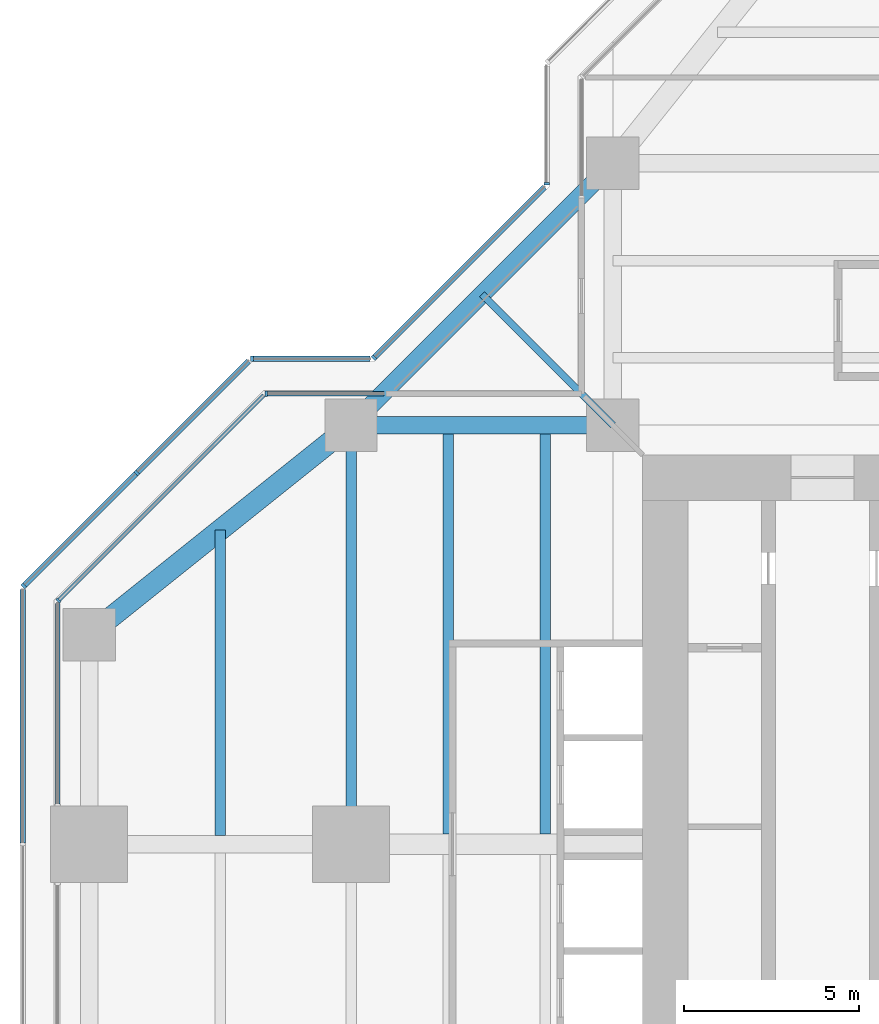
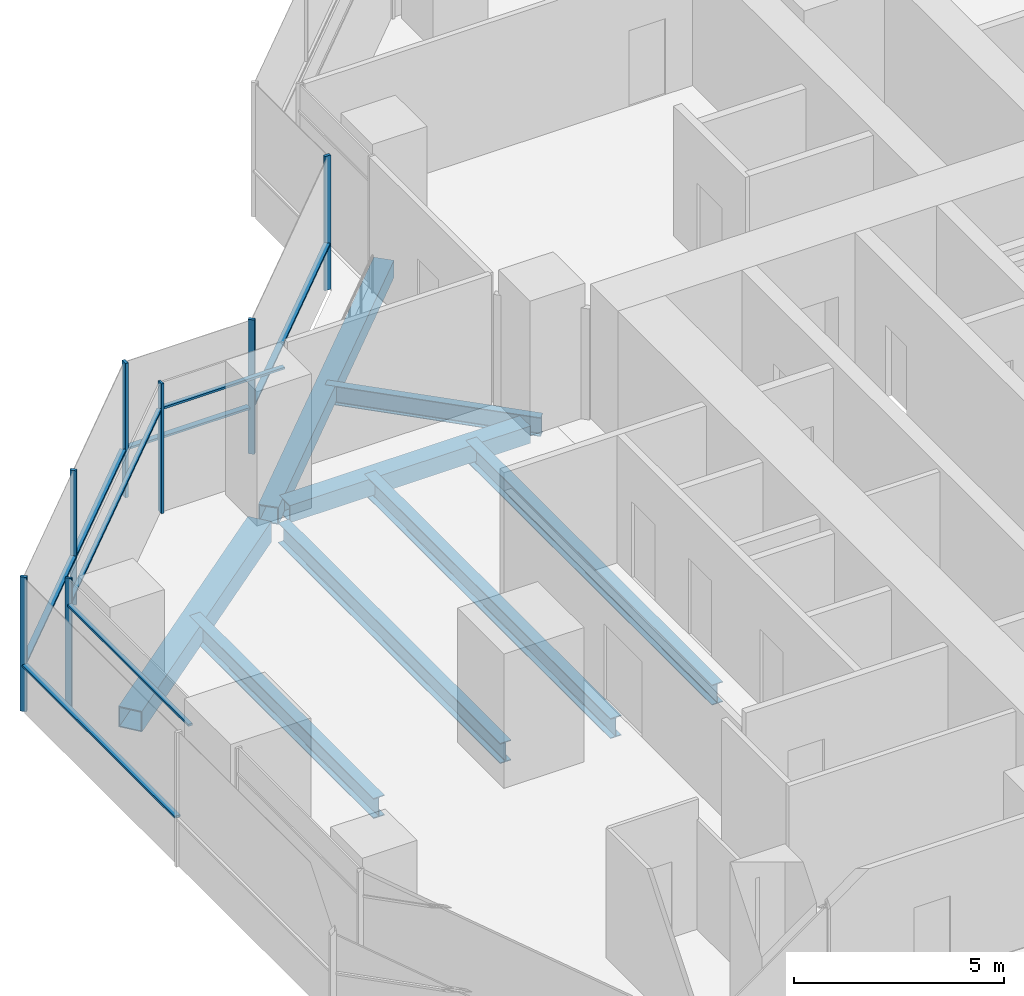
# One storey, part 6 of 17: 15 members, 8 beams, 8 elements without a shape of their own.
"""IFC4 building model written with IfcOpenShell, lengths in metres."""

from ifc_helpers import new_model, si_unit, direction, frame, origin, origin_2d, place, context, subcontext, project, spatial, rectangle, hollow_rectangle, i_section, extrude, material, material_profile, profile_set, type_object, element, aggregate, save


model = new_model("IFC4")

# Units and contexts
model_context = context("Model", 3, precision=1e-05, world=origin(), true_north=direction((0.0, 1.0)))
body_context = subcontext(model_context, "Body", "Model", "MODEL_VIEW")
ifc_project = project(units=[si_unit("LENGTHUNIT", "METRE"), si_unit("AREAUNIT", "SQUARE_METRE"), si_unit("VOLUMEUNIT", "CUBIC_METRE"), si_unit("PLANEANGLEUNIT", "RADIAN"), si_unit("MASSUNIT", "GRAM", prefix="KILO")], contexts=[model_context])

# Site, building, storey
site_placement = place(None, origin())
site = spatial("IfcSite", under=ifc_project, at=site_placement, CompositionType="ELEMENT")
building_placement = place(site_placement, origin())
building = spatial("IfcBuilding", under=site, at=building_placement, Name="Mizan Broadcast Tower", CompositionType="ELEMENT")
storey_placement = place(building_placement, frame((0.0, 0.0, 236.10009765625)))
storey = spatial("IfcBuildingStorey", under=building, at=storey_placement, Name="L55", CompositionType="ELEMENT", Elevation=236.10009765625)

# Beams
ifc_material_1 = material(Name="Steel S355", Category="steel")
ifc_material_profile_1 = material_profile(ifc_material_1, hollow_rectangle(XDim=0.5, YDim=0.5, WallThickness=0.030029296875, at=origin_2d()), Name="BOX 500x500x30")
ifc_profile_set_1 = profile_set([ifc_material_profile_1], Name="Steel S355")
beam_type_1 = type_object("IfcBeamType", Name="EDGE BEAM BOX 500x500x30", PredefinedType="SPANDREL", material=ifc_profile_set_1)
beam_1_placement = place(storey_placement, frame((-12.449951171875, 12.0, -0.380126953125), z_axis=(-1.0, 0.0, 0.0), x_axis=(0.0, -1.0, 0.0)))
element("IfcBeam", 1, at=beam_1_placement, inside=storey, type_object=beam_type_1, Name="Edge beam BOX 500x500x30 L55 west arm", PredefinedType="SPANDREL", context=body_context, shape_type="SweptSolid", body=[
    extrude(hollow_rectangle(XDim=0.5, YDim=0.5, WallThickness=0.030029296875, at=origin_2d()), origin(), (0.0, 0.0, 1.0), 6.60009765625),
])
beam_2_placement = place(storey_placement, frame((-12.0, 19.5, -0.380126953125), z_axis=(-0.707106781187, -0.707106781187, 0.0), x_axis=(0.707106781187, -0.707106781187, 0.0)))
element("IfcBeam", 2, at=beam_2_placement, inside=storey, type_object=beam_type_1, Name="Winter garden edge beam L55 N", PredefinedType="SPANDREL", context=body_context, shape_type="SweptSolid", body=[
    extrude(hollow_rectangle(XDim=0.5, YDim=0.5, WallThickness=0.030029296875, at=origin_2d()), origin(), (0.0, 0.0, 1.0), 10.606689453125),
])
ifc_material_2 = material(Name="Steel S355", Category="steel")
ifc_material_profile_2 = material_profile(ifc_material_2, hollow_rectangle(XDim=0.60009765625, YDim=0.60009765625, WallThickness=0.030029296875, at=origin_2d()), Name="BOX 600x600x30")
ifc_profile_set_2 = profile_set([ifc_material_profile_2], Name="Steel S355")
beam_type_2 = type_object("IfcBeamType", Name="EDGE BEAM BOX 600x600x30", PredefinedType="SPANDREL", material=ifc_profile_set_2)
beam_3_placement = place(storey_placement, frame((-19.949951171875, 11.639892578125, -0.43017578125), z_axis=(-0.780885717636, -0.624673911726, 0.0), x_axis=(0.624673911726, -0.780885717636, 0.0)))
element("IfcBeam", 3, at=beam_3_placement, inside=storey, type_object=beam_type_2, Name="Edge beam BOX 600x600x30 L55 west arm", PredefinedType="SPANDREL", context=body_context, shape_type="SweptSolid", body=[
    extrude(hollow_rectangle(XDim=0.60009765625, YDim=0.60009765625, WallThickness=0.030029296875, at=origin_2d()), origin(), (0.0, 0.0, 1.0), 8.4521484375),
])
ifc_material_3 = material(Name="Steel S355", Category="steel")
ifc_material_profile_3 = material_profile(ifc_material_3, i_section(OverallWidth=0.300048828125, OverallDepth=0.590087890625, WebThickness=0.012939453125, FlangeThickness=0.02490234375, FilletRadius=0.027099609375, at=origin_2d()), Name="HEA 600")
ifc_profile_set_3 = profile_set([ifc_material_profile_3], Name="Steel S355")
beam_type_3 = type_object("IfcBeamType", Name="GIRDER HEA 600", PredefinedType="BEAM", material=ifc_profile_set_3)
beam_4_placement = place(storey_placement, frame((-19.5, 11.280029296875, -0.425048828125), z_axis=(0.0, -1.0, 0.0), x_axis=(1.0, 0.0, 0.0)))
element("IfcBeam", 4, at=beam_4_placement, inside=storey, type_object=beam_type_3, Name="Girder HEA 600 L55 west arm", PredefinedType="BEAM", context=body_context, shape_type="SweptSolid", body=[
    extrude(i_section(OverallWidth=0.300048828125, OverallDepth=0.590087890625, WebThickness=0.012939453125, FlangeThickness=0.02490234375, FilletRadius=0.027099609375, at=origin_2d()), origin(), (0.0, 0.0, 1.0), 10.56005859375),
])

# Curtain wall, member
ifc_material_4 = material(Name="Aluminium framed glazing", Category="aluminium")
curtain_wall_type_1 = type_object("IfcCurtainWallType", Name="INNER SKIN HIGH ZONE", PredefinedType="USERDEFINED", material=ifc_material_4)
curtain_wall_1_placement = place(storey_placement, origin())
curtain_wall_1 = element("IfcCurtainWall", 5, at=curtain_wall_1_placement, inside=storey, type_object=curtain_wall_type_1, Name="Inner skin high zone L55 W side", ObjectType="INNER SKIN HIGH ZONE", PredefinedType="USERDEFINED")
ifc_material_5 = material(Name="Aluminium, pale anodised", Category="aluminium")
ifc_material_profile_4 = material_profile(ifc_material_5, rectangle(XDim=0.159912109375, YDim=0.06005859375, at=origin_2d()), Name="MULLION 160x60")
ifc_profile_set_4 = profile_set([ifc_material_profile_4], Name="Aluminium, pale anodised")
member_type_1 = type_object("IfcMemberType", Name="INNER SKIN MULLION 60x160", PredefinedType="MULLION", material=ifc_profile_set_4)
member_1_placement = place(storey_placement, frame((-21.928466796875, 12.89990234375, 0.0), z_axis=(0.0, 0.0, 1.0), x_axis=(0.0, -1.0, 0.0)))
member_1 = element("IfcMember", 6, at=member_1_placement, type_object=member_type_1, Name="Inner skin high zone L55 W side mullion 2", PredefinedType="MULLION", context=body_context, shape_type="SweptSolid", body=[
    extrude(rectangle(XDim=0.159912109375, YDim=0.06005859375, at=origin_2d()), origin(), (0.0, 0.0, 1.0), 3.77001953125),
])

curtain_wall_2_placement = place(storey_placement, origin())
curtain_wall_2 = element("IfcCurtainWall", 7, at=curtain_wall_2_placement, inside=storey, type_object=curtain_wall_type_1, Name="Inner skin high zone L55 W chamfer", ObjectType="INNER SKIN HIGH ZONE", PredefinedType="USERDEFINED")
member_2_placement = place(storey_placement, frame((-27.87890625, 6.979736328125, 0.0), z_axis=(0.0, 0.0, 1.0), x_axis=(0.707106781187, -0.707106781187, 0.0)))
member_2 = element("IfcMember", 8, at=member_2_placement, type_object=member_type_1, Name="Inner skin high zone L55 W chamfer mullion 2", PredefinedType="MULLION", context=body_context, shape_type="SweptSolid", body=[
    extrude(rectangle(XDim=0.159912109375, YDim=0.06005859375, at=origin_2d()), origin(), (0.0, 0.0, 1.0), 3.77001953125),
])

# Member
ifc_material_6 = material(Name="Aluminium, pale anodised", Category="aluminium")
ifc_material_profile_5 = material_profile(ifc_material_6, rectangle(XDim=0.1201171875, YDim=0.06005859375, at=origin_2d()), Name="TRANSOM 120x60")
ifc_profile_set_5 = profile_set([ifc_material_profile_5], Name="Aluminium, pale anodised")
member_type_2 = type_object("IfcMemberType", Name="INNER SKIN TRANSOM 60x120", PredefinedType="USERDEFINED", material=ifc_profile_set_5)
member_3_placement = place(storey_placement, frame((-18.56005859375, 12.89990234375, 3.02978515625), z_axis=(-1.0, 0.0, 0.0), x_axis=(0.0, -1.0, 0.0)))
member_3 = element("IfcMember", 9, at=member_3_placement, type_object=member_type_2, Name="Inner skin high zone L55 W side transom 1.1", ObjectType="TRANSOM", PredefinedType="USERDEFINED", context=body_context, shape_type="SweptSolid", body=[
    extrude(rectangle(XDim=0.1201171875, YDim=0.06005859375, at=origin_2d()), origin(), (0.0, 0.0, 1.0), 3.338623046875),
])

aggregate(curtain_wall_1, [member_1, member_3])

member_4_placement = place(storey_placement, frame((-22.0009765625, 12.857666015625, 3.02978515625), z_axis=(-0.707106781187, -0.707106781187, 0.0), x_axis=(0.707106781187, -0.707106781187, 0.0)))
member_4 = element("IfcMember", 10, at=member_4_placement, type_object=member_type_2, Name="Inner skin high zone L55 W chamfer transom 1.1", ObjectType="TRANSOM", PredefinedType="USERDEFINED", context=body_context, shape_type="SweptSolid", body=[
    extrude(rectangle(XDim=0.1201171875, YDim=0.06005859375, at=origin_2d()), origin(), (0.0, 0.0, 1.0), 8.28271484375),
])

aggregate(curtain_wall_2, [member_2, member_4])

# Curtain wall, member
curtain_wall_3_placement = place(storey_placement, origin())
curtain_wall_3 = element("IfcCurtainWall", 11, at=curtain_wall_3_placement, inside=storey, type_object=curtain_wall_type_1, Name="Inner skin high zone L55 W end", ObjectType="INNER SKIN HIGH ZONE", PredefinedType="USERDEFINED")
member_5_placement = place(storey_placement, frame((-27.89990234375, 6.898681640625, 3.02978515625), z_axis=(0.0, -1.0, 0.0), x_axis=(1.0, 0.0, 0.0)))
member_5 = element("IfcMember", 12, at=member_5_placement, type_object=member_type_2, Name="Inner skin high zone L55 W end transom 1.1", ObjectType="TRANSOM", PredefinedType="USERDEFINED", context=body_context, shape_type="SweptSolid", body=[
    extrude(rectangle(XDim=0.1201171875, YDim=0.06005859375, at=origin_2d()), origin(), (0.0, 0.0, 1.0), 5.73876953125),
])
aggregate(curtain_wall_3, [member_5])

ifc_material_7 = material(Name="Aluminium framed glazing", Category="aluminium")
curtain_wall_type_2 = type_object("IfcCurtainWallType", Name="OUTER SKIN", PredefinedType="USERDEFINED", material=ifc_material_7)
curtain_wall_4_placement = place(storey_placement, origin())
curtain_wall_4 = element("IfcCurtainWall", 13, at=curtain_wall_4_placement, inside=storey, type_object=curtain_wall_type_2, Name="Outer skin L55 N side", ObjectType="OUTER SKIN", PredefinedType="USERDEFINED")
ifc_material_8 = material(Name="Aluminium, pale anodised", Category="aluminium")
ifc_material_profile_6 = material_profile(ifc_material_8, rectangle(XDim=0.159912109375, YDim=0.080078125, at=origin_2d()), Name="MULLION 160x80")
ifc_profile_set_6 = profile_set([ifc_material_profile_6], Name="Aluminium, pale anodised")
member_type_3 = type_object("IfcMemberType", Name="OUTER SKIN MULLION 80x160", PredefinedType="MULLION", material=ifc_profile_set_6)
member_6_placement = place(storey_placement, frame((-13.89990234375, 18.912841796875, 0.0), z_axis=(0.0, 0.0, 1.0), x_axis=(1.0, 0.0, 0.0)))
member_6 = element("IfcMember", 14, at=member_6_placement, type_object=member_type_3, Name="Outer skin L55 N side mullion 2", PredefinedType="MULLION", context=body_context, shape_type="SweptSolid", body=[
    extrude(rectangle(XDim=0.159912109375, YDim=0.080078125, at=origin_2d()), origin(), (0.0, 0.0, 1.0), 3.89990234375),
])
aggregate(curtain_wall_4, [member_6])

curtain_wall_5_placement = place(storey_placement, origin())
curtain_wall_5 = element("IfcCurtainWall", 15, at=curtain_wall_5_placement, inside=storey, type_object=curtain_wall_type_2, Name="Outer skin L55 W chamfer", ObjectType="OUTER SKIN", PredefinedType="USERDEFINED")
member_7_placement = place(storey_placement, frame((-18.844482421875, 13.92822265625, 0.0), z_axis=(0.0, 0.0, 1.0), x_axis=(0.707106781187, -0.707106781187, 0.0)))
member_7 = element("IfcMember", 16, at=member_7_placement, type_object=member_type_3, Name="Outer skin L55 W chamfer mullion 2", PredefinedType="MULLION", context=body_context, shape_type="SweptSolid", body=[
    extrude(rectangle(XDim=0.159912109375, YDim=0.080078125, at=origin_2d()), origin(), (0.0, 0.0, 1.0), 3.89990234375),
])

curtain_wall_6_placement = place(storey_placement, origin())
curtain_wall_6 = element("IfcCurtainWall", 17, at=curtain_wall_6_placement, inside=storey, type_object=curtain_wall_type_2, Name="Outer skin L55 W side", ObjectType="OUTER SKIN", PredefinedType="USERDEFINED")
member_8_placement = place(storey_placement, frame((-22.332763671875, 13.89990234375, 0.0), z_axis=(0.0, 0.0, 1.0), x_axis=(0.0, -1.0, 0.0)))
member_8 = element("IfcMember", 18, at=member_8_placement, type_object=member_type_3, Name="Outer skin L55 W side mullion 2", PredefinedType="MULLION", context=body_context, shape_type="SweptSolid", body=[
    extrude(rectangle(XDim=0.159912109375, YDim=0.080078125, at=origin_2d()), origin(), (0.0, 0.0, 1.0), 3.89990234375),
])

# Curtain wall, members
curtain_wall_7_placement = place(storey_placement, origin())
curtain_wall_7 = element("IfcCurtainWall", 19, at=curtain_wall_7_placement, inside=storey, type_object=curtain_wall_type_2, Name="Outer skin L55 W chamfer", ObjectType="OUTER SKIN", PredefinedType="USERDEFINED")
member_9_placement = place(storey_placement, frame((-25.636474609375, 10.636474609375, 0.0), z_axis=(0.0, 0.0, 1.0), x_axis=(0.707106781187, -0.707106781187, 0.0)))
member_9 = element("IfcMember", 20, at=member_9_placement, type_object=member_type_3, Name="Outer skin L55 W chamfer mullion 2", PredefinedType="MULLION", context=body_context, shape_type="SweptSolid", body=[
    extrude(rectangle(XDim=0.159912109375, YDim=0.080078125, at=origin_2d()), origin(), (0.0, 0.0, 1.0), 3.89990234375),
])
member_10_placement = place(storey_placement, frame((-28.871826171875, 7.401123046875, 0.0), z_axis=(0.0, 0.0, 1.0), x_axis=(0.707106781187, -0.707106781187, 0.0)))
member_10 = element("IfcMember", 21, at=member_10_placement, type_object=member_type_3, Name="Outer skin L55 W chamfer mullion 3", PredefinedType="MULLION", context=body_context, shape_type="SweptSolid", body=[
    extrude(rectangle(XDim=0.159912109375, YDim=0.080078125, at=origin_2d()), origin(), (0.0, 0.0, 1.0), 3.89990234375),
])

# Member
ifc_material_9 = material(Name="Aluminium, pale anodised", Category="aluminium")
ifc_material_profile_7 = material_profile(ifc_material_9, rectangle(XDim=0.159912109375, YDim=0.06005859375, at=origin_2d()), Name="TRANSOM 160x60")
ifc_profile_set_7 = profile_set([ifc_material_profile_7], Name="Aluminium, pale anodised")
member_type_4 = type_object("IfcMemberType", Name="OUTER SKIN TRANSOM 60x160", PredefinedType="USERDEFINED", material=ifc_profile_set_7)
member_11_placement = place(storey_placement, frame((-13.95654296875, 18.816162109375, 1.39990234375), z_axis=(-0.707106781187, -0.707106781187, 0.0), x_axis=(0.707106781187, -0.707106781187, 0.0)))
member_11 = element("IfcMember", 22, at=member_11_placement, type_object=member_type_4, Name="Outer skin L55 W chamfer transom 1.1", ObjectType="TRANSOM", PredefinedType="USERDEFINED", context=body_context, shape_type="SweptSolid", body=[
    extrude(rectangle(XDim=0.159912109375, YDim=0.06005859375, at=origin_2d()), origin(), (0.0, 0.0, 1.0), 6.87255859375),
])

aggregate(curtain_wall_5, [member_7, member_11])

member_12_placement = place(storey_placement, frame((-18.952880859375, 13.89990234375, 1.39990234375), z_axis=(-1.0, 0.0, 0.0), x_axis=(0.0, -1.0, 0.0)))
member_12 = element("IfcMember", 23, at=member_12_placement, type_object=member_type_4, Name="Outer skin L55 W side transom 1.1", ObjectType="TRANSOM", PredefinedType="USERDEFINED", context=body_context, shape_type="SweptSolid", body=[
    extrude(rectangle(XDim=0.159912109375, YDim=0.06005859375, at=origin_2d()), origin(), (0.0, 0.0, 1.0), 3.33984375),
])

aggregate(curtain_wall_6, [member_8, member_12])

member_13_placement = place(storey_placement, frame((-22.429443359375, 13.843505859375, 1.39990234375), z_axis=(-0.707106781187, -0.707106781187, 0.0), x_axis=(0.707106781187, -0.707106781187, 0.0)))
member_13 = element("IfcMember", 24, at=member_13_placement, type_object=member_type_4, Name="Outer skin L55 W chamfer transom 1.1", ObjectType="TRANSOM", PredefinedType="USERDEFINED", context=body_context, shape_type="SweptSolid", body=[
    extrude(rectangle(XDim=0.159912109375, YDim=0.06005859375, at=origin_2d()), origin(), (0.0, 0.0, 1.0), 4.495361328125),
])

member_14_placement = place(storey_placement, frame((-25.664794921875, 10.608154296875, 1.39990234375), z_axis=(-0.707106781187, -0.707106781187, 0.0), x_axis=(0.707106781187, -0.707106781187, 0.0)))
member_14 = element("IfcMember", 25, at=member_14_placement, type_object=member_type_4, Name="Outer skin L55 W chamfer transom 2.1", ObjectType="TRANSOM", PredefinedType="USERDEFINED", context=body_context, shape_type="SweptSolid", body=[
    extrude(rectangle(XDim=0.159912109375, YDim=0.06005859375, at=origin_2d()), origin(), (0.0, 0.0, 1.0), 4.495361328125),
])

aggregate(curtain_wall_7, [member_9, member_10, member_13, member_14])

# Curtain wall, member
curtain_wall_8_placement = place(storey_placement, origin())
curtain_wall_8 = element("IfcCurtainWall", 26, at=curtain_wall_8_placement, inside=storey, type_object=curtain_wall_type_2, Name="Outer skin L55 W end", ObjectType="OUTER SKIN", PredefinedType="USERDEFINED")
member_15_placement = place(storey_placement, frame((-28.89990234375, 7.292724609375, 1.39990234375), z_axis=(0.0, -1.0, 0.0), x_axis=(1.0, 0.0, 0.0)))
member_15 = element("IfcMember", 27, at=member_15_placement, type_object=member_type_4, Name="Outer skin L55 W end transom 1.1", ObjectType="TRANSOM", PredefinedType="USERDEFINED", context=body_context, shape_type="SweptSolid", body=[
    extrude(rectangle(XDim=0.159912109375, YDim=0.06005859375, at=origin_2d()), origin(), (0.0, 0.0, 1.0), 7.252685546875),
])
aggregate(curtain_wall_8, [member_15])

# Beams
ifc_material_10 = material(Name="Steel S355", Category="steel")
ifc_material_profile_8 = material_profile(ifc_material_10, i_section(OverallWidth=0.300048828125, OverallDepth=0.590087890625, WebThickness=0.012939453125, FlangeThickness=0.02490234375, FilletRadius=0.027099609375, at=origin_2d()), Name="HEA 600")
ifc_profile_set_8 = profile_set([ifc_material_profile_8], Name="Steel S355")
beam_type_4 = type_object("IfcBeamType", Name="SECONDARY BEAM HEA 600", PredefinedType="JOIST", material=ifc_profile_set_8)
for number, where, z_axis, x_axis, name in (
    (28, (-13.933349609375, 12.0, -0.425048828125), (0.0, -1.0, 0.0), (1.0, 0.0, 0.0), "Secondary beam HEA 600 L55 west arm"),
    (29, (-16.716552734375, 12.0, -0.425048828125), (0.0, -1.0, 0.0), (1.0, 0.0, 0.0), "Secondary beam HEA 600 L55 west arm"),
):
    element("IfcBeam", number, at=place(storey_placement, frame(where, z_axis=z_axis, x_axis=x_axis)), inside=storey, type_object=beam_type_4, Name=name, PredefinedType="JOIST", context=body_context, shape_type="SweptSolid", body=[
        extrude(i_section(OverallWidth=0.300048828125, OverallDepth=0.590087890625, WebThickness=0.012939453125, FlangeThickness=0.02490234375, FilletRadius=0.027099609375, at=origin_2d()), origin(), (0.0, 0.0, 1.0), 11.699951171875),
    ])
beam_5_placement = place(storey_placement, frame((-23.25, 9.0, -0.425048828125), z_axis=(0.0, -1.0, 0.0), x_axis=(1.0, 0.0, 0.0)))
element("IfcBeam", 30, at=beam_5_placement, inside=storey, type_object=beam_type_4, Name="Secondary beam HEA 600 L55 west arm", PredefinedType="JOIST", context=body_context, shape_type="SweptSolid", body=[
    extrude(i_section(OverallWidth=0.300048828125, OverallDepth=0.590087890625, WebThickness=0.012939453125, FlangeThickness=0.02490234375, FilletRadius=0.027099609375, at=origin_2d()), origin(), (0.0, 0.0, 1.0), 8.75),
])
ifc_material_11 = material(Name="Steel S355", Category="steel")
ifc_material_profile_9 = material_profile(ifc_material_11, i_section(OverallWidth=0.2099609375, OverallDepth=0.550048828125, WebThickness=0.010986328125, FlangeThickness=0.01708984375, FilletRadius=0.02392578125, at=origin_2d()), Name="IPE 550")
ifc_profile_set_9 = profile_set([ifc_material_profile_9], Name="Steel S355")
beam_type_5 = type_object("IfcBeamType", Name="SECONDARY BEAM IPE 550", PredefinedType="JOIST", material=ifc_profile_set_9)
beam_6_placement = place(storey_placement, frame((-12.0, 12.0, -0.405029296875), z_axis=(-0.707106781187, 0.707106781187, 0.0), x_axis=(-0.707106781187, -0.707106781187, 0.0)))
element("IfcBeam", 31, at=beam_6_placement, inside=storey, type_object=beam_type_5, Name="Winter garden beam L55 N", PredefinedType="JOIST", context=body_context, shape_type="SweptSolid", body=[
    extrude(i_section(OverallWidth=0.2099609375, OverallDepth=0.550048828125, WebThickness=0.010986328125, FlangeThickness=0.01708984375, FilletRadius=0.02392578125, at=origin_2d()), origin(), (0.0, 0.0, 1.0), 5.30322265625),
])

save(model, "model.ifc")
